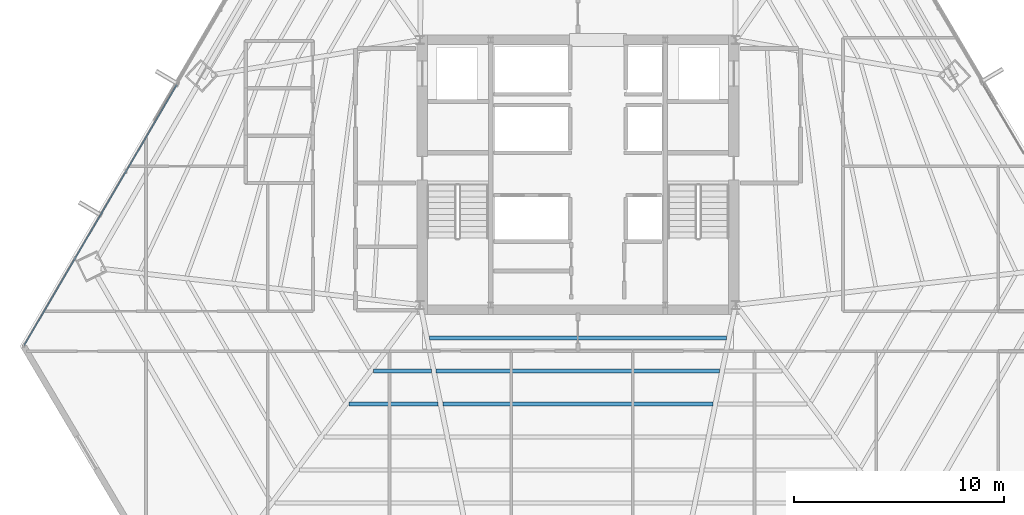
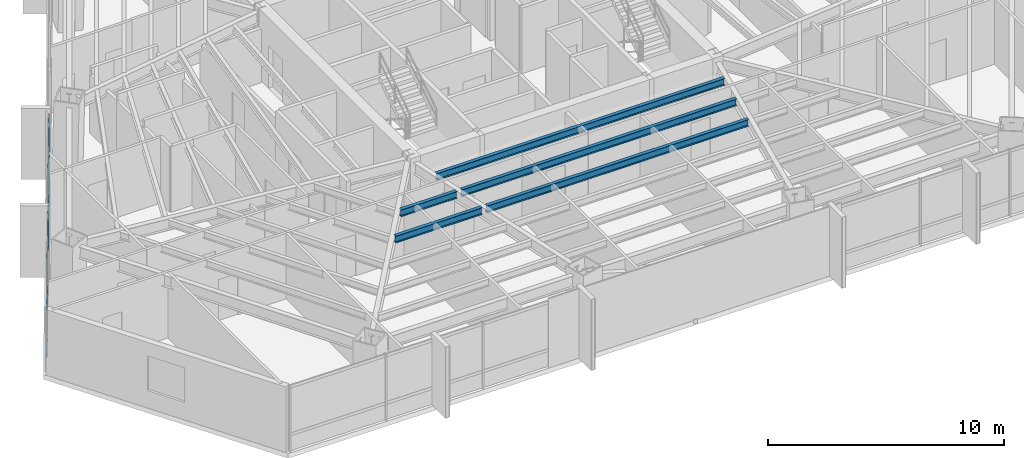
# One storey, part 10 of 37: 5 beams, 2 members, 1 element without a shape of its own.
"""IFC4 building model written with IfcOpenShell, lengths in metres."""

from ifc_helpers import new_model, si_unit, direction, frame, origin, origin_2d, place, context, subcontext, project, spatial, hollow_rectangle, i_section, extrude, source, transform, mapped, material, material_profile, profile_set, type_object, type_shapes, element, aggregate, save


model = new_model("IFC4")

# Units and contexts
model_context = context("Model", 3, precision=1e-05, world=origin(), true_north=direction((0.0, 1.0)))
body_context = subcontext(model_context, "Body", "Model", "MODEL_VIEW")
ifc_project = project(units=[si_unit("LENGTHUNIT", "METRE"), si_unit("AREAUNIT", "SQUARE_METRE"), si_unit("VOLUMEUNIT", "CUBIC_METRE"), si_unit("PLANEANGLEUNIT", "RADIAN"), si_unit("MASSUNIT", "GRAM", prefix="KILO")], contexts=[model_context])

# Site, building, storey
site_placement = place(None, origin())
site = spatial("IfcSite", under=ifc_project, at=site_placement, CompositionType="ELEMENT")
building_placement = place(site_placement, origin())
building = spatial("IfcBuilding", under=site, at=building_placement, Name="Caelisora Broadcast Tower", CompositionType="ELEMENT")
storey_placement = place(building_placement, frame((0.0, 0.0, 105.39990234375)))
storey = spatial("IfcBuildingStorey", under=building, at=storey_placement, Name="L27", CompositionType="ELEMENT", Elevation=105.39990234375)

# Beams
ifc_material_1 = material(Name="Steel Grade 350 (AS/NZS 3679.1)", Category="steel")
ifc_material_profile_1 = material_profile(ifc_material_1, i_section(OverallWidth=0.172119140625, OverallDepth=0.358642578125, WebThickness=0.008056640625, FlangeThickness=0.012939453125, at=origin_2d()), Name="Steel Grade 350 (AS/NZS 3679.1)")
ifc_profile_set_1 = profile_set([ifc_material_profile_1], Name="Steel Grade 350 (AS/NZS 3679.1)")
beam_type = type_object("IfcBeamType", Name="SB02", PredefinedType="JOIST", material=ifc_profile_set_1)
shared_shape_1 = source(origin(), body_context, "Body", "SweptSolid", [
    extrude(i_section(OverallWidth=0.172119140625, OverallDepth=0.358642578125, WebThickness=0.008056640625, FlangeThickness=0.012939453125, at=origin_2d()), origin(), (0.0, 0.0, 1.0), 2.743408203125),
])
beam_1_placement = place(storey_placement, frame((28.2880859375, 14.260986328125, 3.220703125), z_axis=(1.0, 0.0, 0.0), x_axis=(0.0, 1.0, 0.0)))
element("IfcBeam", 1, at=beam_1_placement, inside=storey, type_object=beam_type, Name="L27 beam SB02", PredefinedType="JOIST", context=body_context, shape_type="MappedRepresentation", body=[
    mapped(shared_shape_1, transform((0.0, 0.0, 0.0), scale=1.0)),
])
shared_shape_2 = source(origin(), body_context, "Body", "SweptSolid", [
    extrude(i_section(OverallWidth=0.172119140625, OverallDepth=0.358642578125, WebThickness=0.008056640625, FlangeThickness=0.012939453125, at=origin_2d()), origin(), (0.0, 0.0, 1.0), 4.2412109375),
])
beam_2_placement = place(storey_placement, frame((27.112548828125, 12.69140625, 3.220703125), z_axis=(1.0, 0.0, 0.0), x_axis=(0.0, 1.0, 0.0)))
element("IfcBeam", 2, at=beam_2_placement, inside=storey, type_object=beam_type, Name="L27 beam SB02", PredefinedType="JOIST", context=body_context, shape_type="MappedRepresentation", body=[
    mapped(shared_shape_2, transform((0.0, 0.0, 0.0), scale=1.0)),
])
shared_shape_3 = source(origin(), body_context, "Body", "SweptSolid", [
    extrude(i_section(OverallWidth=0.172119140625, OverallDepth=0.358642578125, WebThickness=0.008056640625, FlangeThickness=0.012939453125, at=origin_2d()), origin(), (0.0, 0.0, 1.0), 14.12841796875),
])
beam_3_placement = place(storey_placement, frame((30.935791015625, 15.83056640625, 3.220703125), z_axis=(1.0, 0.0, 0.0), x_axis=(0.0, 1.0, 0.0)))
element("IfcBeam", 3, at=beam_3_placement, inside=storey, type_object=beam_type, Name="L27 beam SB02", PredefinedType="JOIST", context=body_context, shape_type="MappedRepresentation", body=[
    mapped(shared_shape_3, transform((0.0, 0.0, 0.0), scale=1.0)),
])
shared_shape_4 = source(origin(), body_context, "Body", "SweptSolid", [
    extrude(i_section(OverallWidth=0.172119140625, OverallDepth=0.358642578125, WebThickness=0.008056640625, FlangeThickness=0.012939453125, at=origin_2d()), origin(), (0.0, 0.0, 1.0), 13.4833984375),
])
beam_4_placement = place(storey_placement, frame((31.25830078125, 14.260986328125, 3.220703125), z_axis=(1.0, 0.0, 0.0), x_axis=(0.0, 1.0, 0.0)))
element("IfcBeam", 4, at=beam_4_placement, inside=storey, type_object=beam_type, Name="L27 beam SB02", PredefinedType="JOIST", context=body_context, shape_type="MappedRepresentation", body=[
    mapped(shared_shape_4, transform((0.0, 0.0, 0.0), scale=1.0)),
])
shared_shape_5 = source(origin(), body_context, "Body", "SweptSolid", [
    extrude(i_section(OverallWidth=0.172119140625, OverallDepth=0.358642578125, WebThickness=0.008056640625, FlangeThickness=0.012939453125, at=origin_2d()), origin(), (0.0, 0.0, 1.0), 12.8388671875),
])
type_shapes(beam_type, [shared_shape_1, shared_shape_2, shared_shape_3, shared_shape_4, shared_shape_5])
beam_5_placement = place(storey_placement, frame((31.58056640625, 12.69140625, 3.220703125), z_axis=(1.0, 0.0, 0.0), x_axis=(0.0, 1.0, 0.0)))
element("IfcBeam", 5, at=beam_5_placement, inside=storey, type_object=beam_type, Name="L27 beam SB02", PredefinedType="JOIST", context=body_context, shape_type="MappedRepresentation", body=[
    mapped(shared_shape_5, transform((0.0, 0.0, 0.0), scale=1.0)),
])

# Curtain wall, members
ifc_material_2 = material(Name="Unitised Aluminium and Low-E Glass Curtain Wall", Category="glass")
curtain_wall_type = type_object("IfcCurtainWallType", Name="CW-Z2", PredefinedType="NOTDEFINED", material=ifc_material_2)
curtain_wall_placement = place(storey_placement, origin())
curtain_wall = element("IfcCurtainWall", 6, at=curtain_wall_placement, inside=storey, type_object=curtain_wall_type, Name="L27 curtain wall CW-Z2", PredefinedType="NOTDEFINED")
ifc_material_3 = material(Name="Aluminium 6063-T6 Anodised Terracotta Bronze", Category="aluminium")
ifc_material_profile_2 = material_profile(ifc_material_3, hollow_rectangle(XDim=0.06005859375, YDim=0.14990234375, WallThickness=0.00341796875, at=origin_2d()), Name="Aluminium 6063-T6 Anodised Terracotta Bronze")
ifc_profile_set_2 = profile_set([ifc_material_profile_2], Name="Aluminium 6063-T6 Anodised Terracotta Bronze")
member_type = type_object("IfcMemberType", Name="CWT-02", PredefinedType="USERDEFINED", material=ifc_profile_set_2)
shared_shape_6 = source(origin(), body_context, "Body", "SweptSolid", [
    extrude(hollow_rectangle(XDim=0.06005859375, YDim=0.14990234375, WallThickness=0.00341796875, at=origin_2d()), origin(), (0.0, 0.0, 1.0), 14.3623046875),
])
type_shapes(member_type, [shared_shape_6])
member_1_placement = place(storey_placement, frame((11.67236328125, 15.484130859375, 0.85009765625), z_axis=(0.505488270091, 0.862833476866, 0.0), x_axis=(-0.862833476866, 0.505488270091, 0.0)))
member_1 = element("IfcMember", 7, at=member_1_placement, type_object=member_type, Name="L27-CW-B09 transom #1", ObjectType="TRANSOM", PredefinedType="USERDEFINED", context=body_context, shape_type="MappedRepresentation", body=[
    mapped(shared_shape_6, transform((0.0, 0.0, 0.0), scale=1.0)),
])
member_2_placement = place(storey_placement, frame((11.67236328125, 15.484130859375, 3.320068359375), z_axis=(0.505488270091, 0.862833476866, 0.0), x_axis=(-0.862833476866, 0.505488270091, 0.0)))
member_2 = element("IfcMember", 8, at=member_2_placement, type_object=member_type, Name="L27-CW-B09 transom #2", ObjectType="TRANSOM", PredefinedType="USERDEFINED", context=body_context, shape_type="MappedRepresentation", body=[
    mapped(shared_shape_6, transform((0.0, 0.0, 0.0), scale=1.0)),
])
aggregate(curtain_wall, [member_1, member_2])

save(model, "model.ifc")
